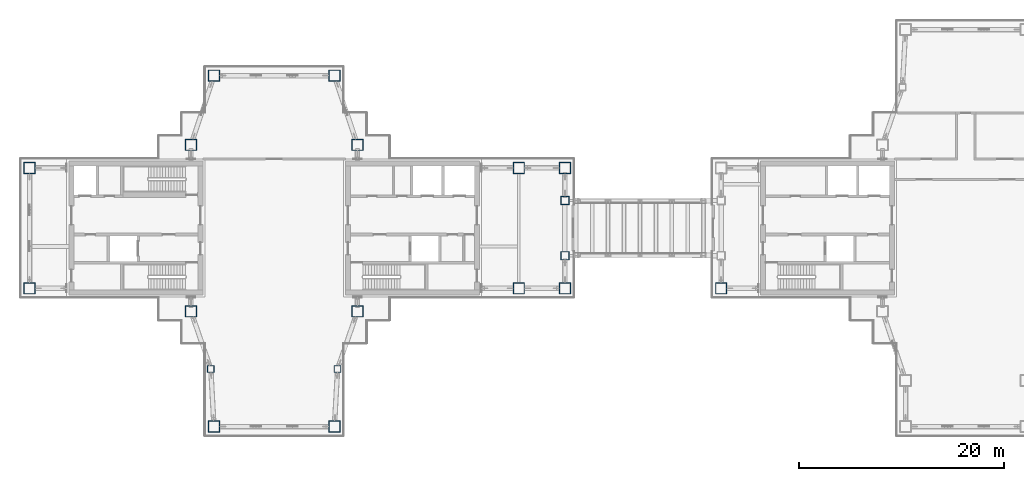
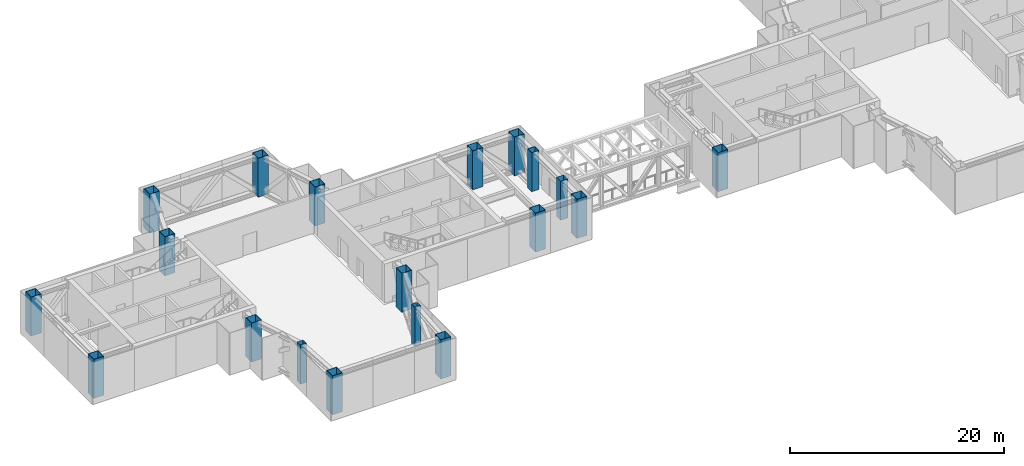
# One storey, part 1 of 21: 19 columns.
"""IFC4 building model written with IfcOpenShell, lengths in metres."""

from ifc_helpers import new_model, si_unit, direction, frame, origin, origin_2d, place, context, subcontext, project, spatial, hollow_rectangle, extrude, material, material_profile, profile_set, type_object, element, save


model = new_model("IFC4")

# Units and contexts
model_context = context("Model", 3, precision=1e-05, world=origin(), true_north=direction((0.0, 1.0)))
body_context = subcontext(model_context, "Body", "Model", "MODEL_VIEW")
ifc_project = project(units=[si_unit("LENGTHUNIT", "METRE"), si_unit("AREAUNIT", "SQUARE_METRE"), si_unit("VOLUMEUNIT", "CUBIC_METRE"), si_unit("PLANEANGLEUNIT", "RADIAN"), si_unit("MASSUNIT", "GRAM", prefix="KILO")], contexts=[model_context])

# Site, building, storey
site_placement = place(None, origin())
site = spatial("IfcSite", under=ifc_project, at=site_placement, CompositionType="ELEMENT")
building_placement = place(site_placement, origin())
building = spatial("IfcBuilding", under=site, at=building_placement, Name="Shamsa Quay Exchange Towers", CompositionType="ELEMENT")
storey_placement = place(building_placement, frame((0.0, 0.0, 177.89990234375)))
storey = spatial("IfcBuildingStorey", under=building, at=storey_placement, Name="L42", CompositionType="ELEMENT", Elevation=177.89990234375)

# Columns
ifc_material_1 = material(Name="Concrete-filled steel tube S355 / C80/95", Category="concrete")
ifc_material_profile_1 = material_profile(ifc_material_1, hollow_rectangle(XDim=1.10009765625, YDim=1.10009765625, WallThickness=0.0400390625, at=origin_2d()), Name="CFT 1100x1100x40")
ifc_profile_set_1 = profile_set([ifc_material_profile_1], Name="Concrete-filled steel tube S355 / C80/95")
column_type_1 = type_object("IfcColumnType", Name="Column CFT 1100x1100x40", PredefinedType="COLUMN", material=ifc_profile_set_1)
for number, where, name in (
    (1, (-25.625, 8.125, 0.0), "Mega column T1-CM01"),
    (2, (-25.625, -8.125, 0.0), "Mega column T1-CM02"),
    (3, (-41.875, 8.125, 0.0), "Mega column T1-CM03"),
    (4, (-41.875, -8.125, 0.0), "Mega column T1-CM04"),
    (5, (-9.875, -5.875, 0.0), "Mega column T1-CM05"),
    (6, (-5.375, -5.875, 0.0), "Mega column T1-CM06"),
    (7, (-9.875, 5.875, 0.0), "Mega column T1-CM07"),
    (8, (-5.375, 5.875, 0.0), "Mega column T1-CM08"),
    (9, (-57.625, -5.875, 0.0), "Mega column T1-CM09"),
    (10, (-57.625, 5.875, 0.0), "Mega column T1-CM11"),
    (11, (-39.625, 14.875, 0.0), "Mega column T1-CM13"),
    (12, (-27.875, 14.875, 0.0), "Mega column T1-CM16"),
    (13, (-39.625, -19.375, 0.0), "Mega column T1-CM20"),
    (14, (-27.875, -19.375, 0.0), "Mega column T1-CM23"),
    (15, (9.875, -5.875, 0.0), "Mega column T2-CM19"),
):
    element("IfcColumn", number, at=place(storey_placement, frame(where)), inside=storey, type_object=column_type_1, Name=name, PredefinedType="COLUMN", context=body_context, shape_type="SweptSolid", body=[
        extrude(hollow_rectangle(XDim=1.10009765625, YDim=1.10009765625, WallThickness=0.0400390625, at=origin_2d()), origin(), (0.0, 0.0, 1.0), 4.4501953125),
    ])
ifc_material_2 = material(Name="Concrete-filled steel tube S355 / C60/75", Category="concrete")
ifc_material_profile_2 = material_profile(ifc_material_2, hollow_rectangle(XDim=0.64990234375, YDim=0.64990234375, WallThickness=0.02001953125, at=origin_2d()), Name="CFT 650x650x20")
ifc_profile_set_2 = profile_set([ifc_material_profile_2], Name="Concrete-filled steel tube S355 / C60/75")
column_type_2 = type_object("IfcColumnType", Name="Column CFT 650x650x20", PredefinedType="COLUMN", material=ifc_profile_set_2)
for number, where, name in (
    (16, (-39.9375, -13.75, 0.0), "Perimeter column T1-CP19"),
    (17, (-27.5625, -13.75, 0.0), "Perimeter column T1-CP22"),
):
    element("IfcColumn", number, at=place(storey_placement, frame(where)), inside=storey, type_object=column_type_2, Name=name, PredefinedType="COLUMN", context=body_context, shape_type="SweptSolid", body=[
        extrude(hollow_rectangle(XDim=0.64990234375, YDim=0.64990234375, WallThickness=0.02001953125, at=origin_2d()), origin(), (0.0, 0.0, 1.0), 4.4501953125),
    ])
ifc_material_3 = material(Name="Concrete-filled steel tube S355 / C70/85", Category="concrete")
ifc_material_profile_3 = material_profile(ifc_material_3, hollow_rectangle(XDim=0.800048828125, YDim=0.800048828125, WallThickness=0.030029296875, at=origin_2d()), Name="CFT 800x800x30")
ifc_profile_set_3 = profile_set([ifc_material_profile_3], Name="Concrete-filled steel tube S355 / C70/85")
column_type_3 = type_object("IfcColumnType", Name="Landing column CFT 800x800x30", PredefinedType="COLUMN", material=ifc_profile_set_3)
for number, where, name in (
    (18, (-5.375, -2.699951171875, 0.0), "Landing column T1 S"),
    (19, (-5.375, 2.699951171875, 0.0), "Landing column T1 N"),
):
    element("IfcColumn", number, at=place(storey_placement, frame(where)), inside=storey, type_object=column_type_3, Name=name, PredefinedType="COLUMN", context=body_context, shape_type="SweptSolid", body=[
        extrude(hollow_rectangle(XDim=0.800048828125, YDim=0.800048828125, WallThickness=0.030029296875, at=origin_2d()), origin(), (0.0, 0.0, 1.0), 4.4501953125),
    ])

save(model, "model.ifc")
